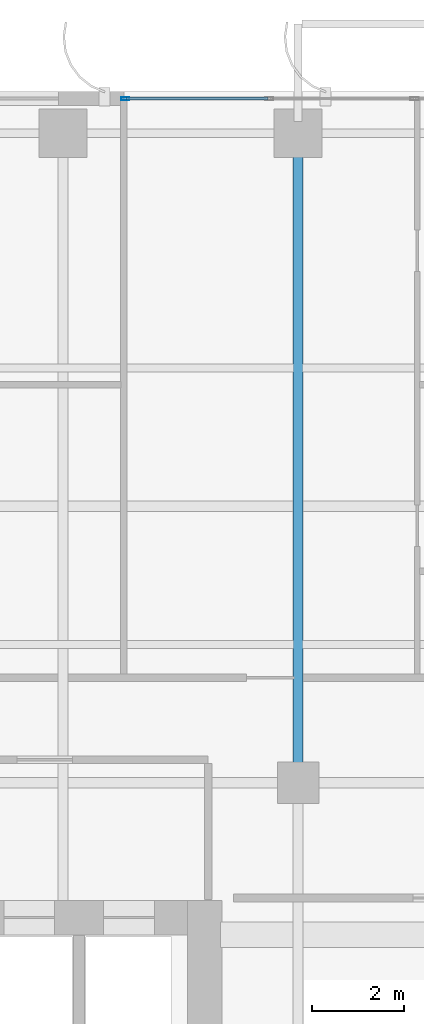
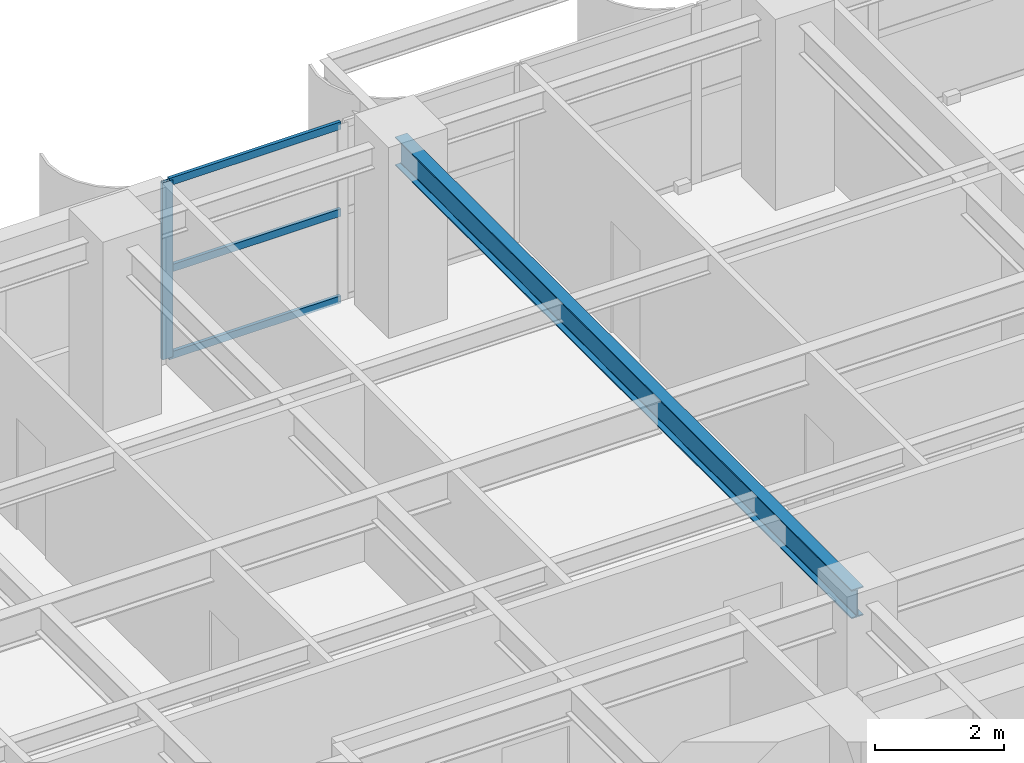
# One storey, part 10 of 25: 4 members, 1 beam, 1 element without a shape of its own.
"""IFC4 building model written with IfcOpenShell, lengths in metres."""

from ifc_helpers import new_model, si_unit, direction, frame, origin, origin_2d, place, context, subcontext, project, spatial, hollow_rectangle, i_section, extrude, source, transform, mapped, material, layer, layer_set, material_profile, profile_set, type_object, element, aggregate, save


model = new_model("IFC4")

# Units and contexts
model_context = context("Model", 3, precision=1e-05, world=origin(), true_north=direction((0.0, 1.0)))
body_context = subcontext(model_context, "Body", "Model", "MODEL_VIEW")
ifc_project = project(units=[si_unit("LENGTHUNIT", "METRE"), si_unit("AREAUNIT", "SQUARE_METRE"), si_unit("VOLUMEUNIT", "CUBIC_METRE"), si_unit("PLANEANGLEUNIT", "RADIAN"), si_unit("MASSUNIT", "GRAM", prefix="KILO")], contexts=[model_context])

# Site, building, storey
site_placement = place(None, origin())
site = spatial("IfcSite", under=ifc_project, at=site_placement, CompositionType="ELEMENT")
building_placement = place(site_placement, origin())
building = spatial("IfcBuilding", under=site, at=building_placement, Name="Khoralis Quay Care Tower", CompositionType="ELEMENT")
storey_placement = place(building_placement, frame((0.0, 0.0, 134.10009765625)))
storey = spatial("IfcBuildingStorey", under=building, at=storey_placement, Name="L35", CompositionType="ELEMENT", Elevation=134.10009765625)

# Beam
ifc_material_1 = material(Name="Steel S355", Category="steel")
ifc_material_profile_1 = material_profile(ifc_material_1, i_section(OverallWidth=0.2119140625, OverallDepth=0.5439453125, WebThickness=0.01318359375, FlangeThickness=0.021240234375, FilletRadius=0.01611328125, at=origin_2d()), Name="Steel S355")
ifc_profile_set_1 = profile_set([ifc_material_profile_1], Name="Steel S355")
beam_type = type_object("IfcBeamType", Name="BM-W530X123", PredefinedType="BEAM", material=ifc_profile_set_1)
shared_shape_1 = source(origin(), body_context, "Body", "SweptSolid", [
    extrude(i_section(OverallWidth=0.2119140625, OverallDepth=0.5439453125, WebThickness=0.01318359375, FlangeThickness=0.021240234375, FilletRadius=0.01611328125, at=origin_2d()), origin(), (0.0, 0.0, 1.0), 14.10009765625),
])
beam_placement = place(storey_placement, frame((17.10009765625, 30.0, 3.06787109375), z_axis=(0.0, 1.0, 0.0), x_axis=(-1.0, 0.0, 0.0)))
element("IfcBeam", 1, at=beam_placement, inside=storey, type_object=beam_type, Name="BM-TGYN-L35-171", PredefinedType="BEAM", context=body_context, shape_type="MappedRepresentation", body=[
    mapped(shared_shape_1, transform((0.0, 0.0, 0.0), scale=1.0)),
])

# Curtain wall, members
ifc_material_2 = material(Name="Pale anodised aluminium", Category="aluminium")
ifc_layer = layer(ifc_material_2, 0.169921875)
ifc_layer_set = layer_set([ifc_layer], Name="Pale anodised aluminium")
curtain_wall_type = type_object("IfcCurtainWallType", Name="CW-SYS-Z2", PredefinedType="NOTDEFINED", material=ifc_layer_set)
curtain_wall_placement = place(storey_placement, origin())
curtain_wall = element("IfcCurtainWall", 2, at=curtain_wall_placement, inside=storey, type_object=curtain_wall_type, Name="L35 Unitised Curtain Wall CW-L35-P1-E10", PredefinedType="NOTDEFINED")
ifc_material_profile_2 = material_profile(ifc_material_2, hollow_rectangle(XDim=0.06494140625, YDim=0.179931640625, WallThickness=0.00390625, at=origin_2d()), Name="Pale anodised aluminium")
ifc_profile_set_2 = profile_set([ifc_material_profile_2], Name="Pale anodised aluminium")
member_type_1 = type_object("IfcMemberType", Name="CW-MUL-180", PredefinedType="MULLION", material=ifc_profile_set_2)
shared_shape_2 = source(origin(), body_context, "Body", "SweptSolid", [
    extrude(hollow_rectangle(XDim=0.06494140625, YDim=0.179931640625, WallThickness=0.00390625, at=origin_2d()), origin(), (0.0, 0.0, 1.0), 3.33984375),
])
member_1_placement = place(storey_placement, frame((13.35009765625, 44.85009765625, 0.0), z_axis=(0.0, 0.0, 1.0), x_axis=(0.0, -1.0, 0.0)))
member_1 = element("IfcMember", 3, at=member_1_placement, type_object=member_type_1, Name="CW2 mullion 7", PredefinedType="MULLION", context=body_context, shape_type="MappedRepresentation", body=[
    mapped(shared_shape_2, transform((0.0, 0.0, 0.0), scale=1.0)),
])
ifc_material_profile_3 = material_profile(ifc_material_2, hollow_rectangle(XDim=0.06005859375, YDim=0.139892578125, WallThickness=0.00390625, at=origin_2d()), Name="Pale anodised aluminium")
ifc_profile_set_3 = profile_set([ifc_material_profile_3], Name="Pale anodised aluminium")
member_type_2 = type_object("IfcMemberType", Name="CW-TRN-140", PredefinedType="USERDEFINED", material=ifc_profile_set_3)
shared_shape_3 = source(origin(), body_context, "Body", "SweptSolid", [
    extrude(hollow_rectangle(XDim=0.06005859375, YDim=0.139892578125, WallThickness=0.00390625, at=origin_2d()), origin(), (0.0, 0.0, 1.0), 3.065185546875),
])
member_2_placement = place(storey_placement, frame((16.445068359375, 44.85009765625, 0.02978515625), z_axis=(-1.0, 0.0, 0.0), x_axis=(0.0, -1.0, 0.0)))
member_2 = element("IfcMember", 4, at=member_2_placement, type_object=member_type_2, Name="CW2 transom 6.1", ObjectType="TRANSOM", PredefinedType="USERDEFINED", context=body_context, shape_type="MappedRepresentation", body=[
    mapped(shared_shape_3, transform((0.0, 0.0, 0.0), scale=1.0)),
])
member_3_placement = place(storey_placement, frame((16.445068359375, 44.85009765625, 1.669921875), z_axis=(-1.0, 0.0, 0.0), x_axis=(0.0, -1.0, 0.0)))
member_3 = element("IfcMember", 5, at=member_3_placement, type_object=member_type_2, Name="CW2 transom 6.2", ObjectType="TRANSOM", PredefinedType="USERDEFINED", context=body_context, shape_type="MappedRepresentation", body=[
    mapped(shared_shape_3, transform((0.0, 0.0, 0.0), scale=1.0)),
])
member_4_placement = place(storey_placement, frame((16.445068359375, 44.85009765625, 3.309814453125), z_axis=(-1.0, 0.0, 0.0), x_axis=(0.0, -1.0, 0.0)))
member_4 = element("IfcMember", 6, at=member_4_placement, type_object=member_type_2, Name="CW2 transom 6.3", ObjectType="TRANSOM", PredefinedType="USERDEFINED", context=body_context, shape_type="MappedRepresentation", body=[
    mapped(shared_shape_3, transform((0.0, 0.0, 0.0), scale=1.0)),
])
aggregate(curtain_wall, [member_1, member_2, member_3, member_4])

save(model, "model.ifc")
